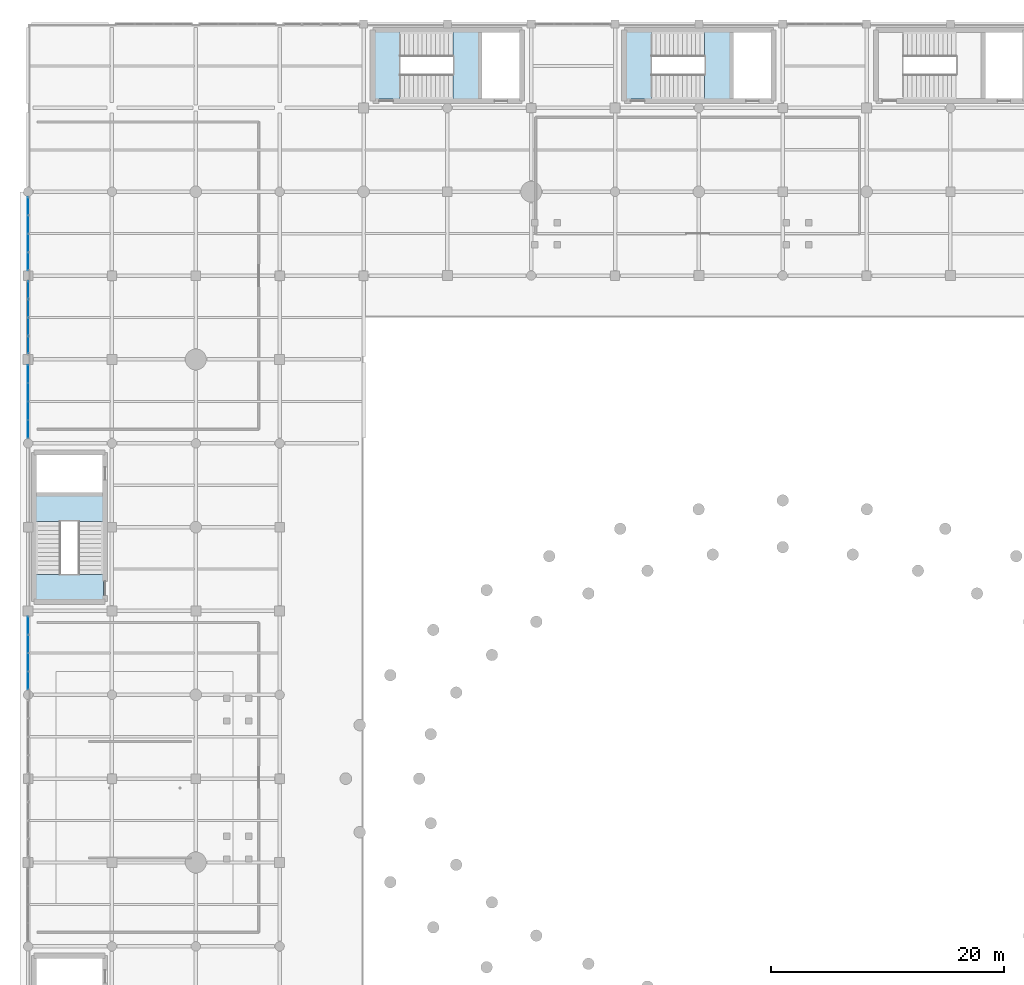
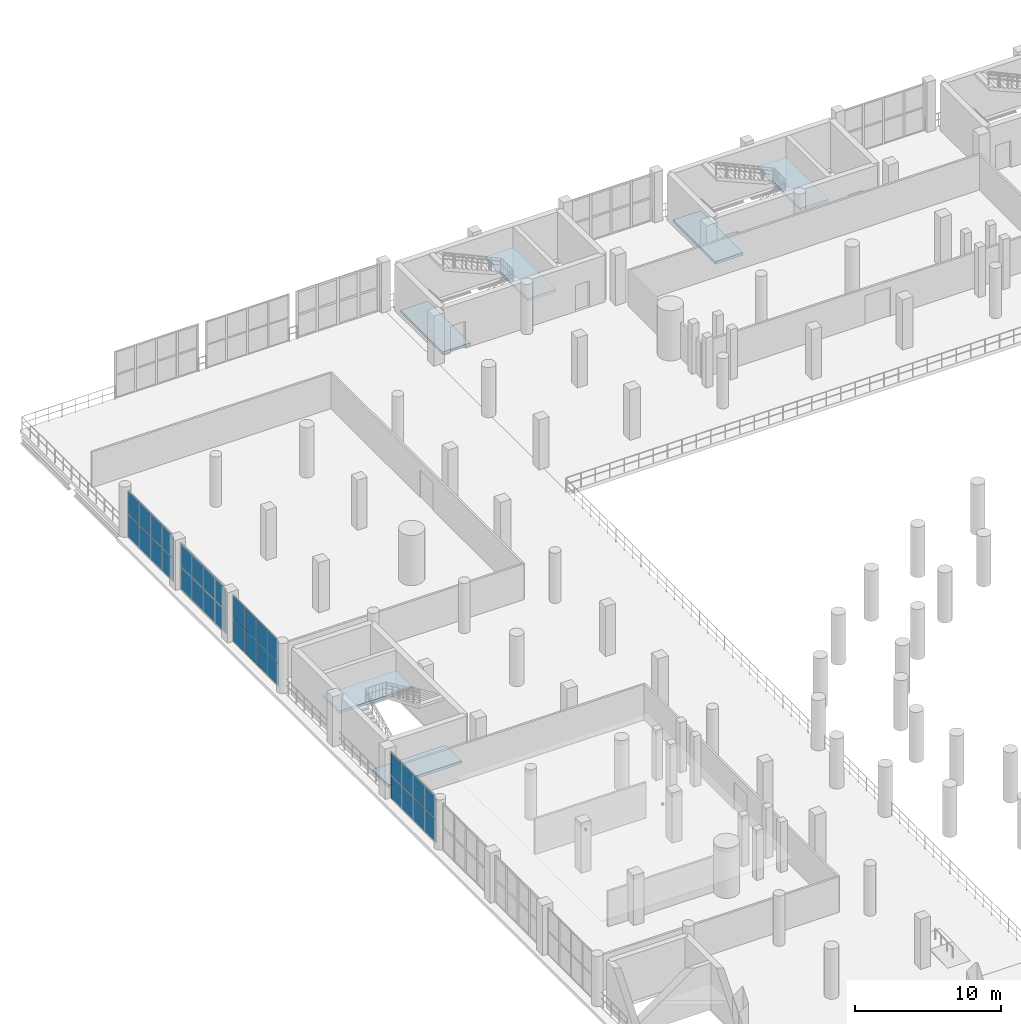
# One storey, part 123 of 153: 32 plates, 6 slabs, 7 elements without a shape of their own.
"""IFC4 building model written with IfcOpenShell, lengths in metres."""

from ifc_helpers import new_model, si_unit, direction, frame, origin, origin_2d, place, context, subcontext, project, spatial, polyline, rectangle, outline, extrude, material, layer, layer_set, type_object, element, aggregate, save


model = new_model("IFC4")

# Units and contexts
model_context = context("Model", 3, precision=1e-05, world=origin(), true_north=direction((0.0, 1.0)))
body_context = subcontext(model_context, "Body", "Model", "MODEL_VIEW")
ifc_project = project(units=[si_unit("LENGTHUNIT", "METRE"), si_unit("AREAUNIT", "SQUARE_METRE"), si_unit("VOLUMEUNIT", "CUBIC_METRE"), si_unit("PLANEANGLEUNIT", "RADIAN"), si_unit("MASSUNIT", "GRAM", prefix="KILO")], contexts=[model_context])

# Site, building, storey
site_placement = place(None, origin())
site = spatial("IfcSite", under=ifc_project, at=site_placement, CompositionType="ELEMENT")
building_placement = place(site_placement, origin())
building = spatial("IfcBuilding", under=site, at=building_placement, Name="Qandorah Velis Arena", CompositionType="ELEMENT")
storey_placement = place(building_placement, frame((0.0, 0.0, 5.39990234375)))
storey = spatial("IfcBuildingStorey", under=building, at=storey_placement, Name="L01", CompositionType="ELEMENT", Elevation=5.39990234375)

# Curtain wall, plates
ifc_material_1 = material(Name="Solar-control low-E double glazing", Category="glass")
curtain_wall_type_1 = type_object("IfcCurtainWallType", Name="ARC-CW-SYS09", PredefinedType="USERDEFINED", material=ifc_material_1)
curtain_wall_1_placement = place(storey_placement, origin())
curtain_wall_1 = element("IfcCurtainWall", 1, at=curtain_wall_1_placement, inside=storey, type_object=curtain_wall_type_1, Name="Unitised curtain wall L01-009", ObjectType="UNITISED CURTAIN WALL", PredefinedType="USERDEFINED")
ifc_layer_1 = layer(ifc_material_1, 0.02392578125)
ifc_layer_set_1 = layer_set([ifc_layer_1], Name="Solar-control low-E double glazing")
plate_type_1 = type_object("IfcPlateType", Name="ARC-CWP-GLZ24", PredefinedType="CURTAIN_PANEL", material=ifc_layer_set_1)
plate_1_placement = place(storey_placement, frame((0.0, 102.059326171875, 0.06494140625), z_axis=(0.0, 0.0, 1.0), x_axis=(0.0, 1.0, 0.0)))
plate_1 = element("IfcPlate", 2, at=plate_1_placement, type_object=plate_type_1, Name="CW09 panel 1.1", PredefinedType="CURTAIN_PANEL", context=body_context, shape_type="SweptSolid", body=[
    extrude(rectangle(XDim=1.48876953125, YDim=0.02392578125, at=origin_2d()), origin(), (0.0, 0.0, 1.0), 1.867431640625),
])
plate_2_placement = place(storey_placement, frame((0.0, 102.059326171875, 1.98779296875), z_axis=(0.0, 0.0, 1.0), x_axis=(0.0, 1.0, 0.0)))
plate_2 = element("IfcPlate", 3, at=plate_2_placement, type_object=plate_type_1, Name="CW09 panel 1.2", PredefinedType="CURTAIN_PANEL", context=body_context, shape_type="SweptSolid", body=[
    extrude(rectangle(XDim=1.48876953125, YDim=0.02392578125, at=origin_2d()), origin(), (0.0, 0.0, 1.0), 1.867431640625),
])
plate_3_placement = place(storey_placement, frame((0.0, 103.621826171875, 0.06494140625), z_axis=(0.0, 0.0, 1.0), x_axis=(0.0, 1.0, 0.0)))
plate_3 = element("IfcPlate", 4, at=plate_3_placement, type_object=plate_type_1, Name="CW09 panel 2.1", PredefinedType="CURTAIN_PANEL", context=body_context, shape_type="SweptSolid", body=[
    extrude(rectangle(XDim=1.5263671875, YDim=0.02392578125, at=origin_2d()), origin(), (0.0, 0.0, 1.0), 1.867431640625),
])
plate_4_placement = place(storey_placement, frame((0.0, 103.621826171875, 1.98779296875), z_axis=(0.0, 0.0, 1.0), x_axis=(0.0, 1.0, 0.0)))
plate_4 = element("IfcPlate", 5, at=plate_4_placement, type_object=plate_type_1, Name="CW09 panel 2.2", PredefinedType="CURTAIN_PANEL", context=body_context, shape_type="SweptSolid", body=[
    extrude(rectangle(XDim=1.5263671875, YDim=0.02392578125, at=origin_2d()), origin(), (0.0, 0.0, 1.0), 1.867431640625),
])
plate_5_placement = place(storey_placement, frame((0.0, 105.203125, 0.06494140625), z_axis=(0.0, 0.0, 1.0), x_axis=(0.0, 1.0, 0.0)))
plate_5 = element("IfcPlate", 6, at=plate_5_placement, type_object=plate_type_1, Name="CW09 panel 3.1", PredefinedType="CURTAIN_PANEL", context=body_context, shape_type="SweptSolid", body=[
    extrude(rectangle(XDim=1.5263671875, YDim=0.02392578125, at=origin_2d()), origin(), (0.0, 0.0, 1.0), 1.867431640625),
])
plate_6_placement = place(storey_placement, frame((0.0, 105.203125, 1.98779296875), z_axis=(0.0, 0.0, 1.0), x_axis=(0.0, 1.0, 0.0)))
plate_6 = element("IfcPlate", 7, at=plate_6_placement, type_object=plate_type_1, Name="CW09 panel 3.2", PredefinedType="CURTAIN_PANEL", context=body_context, shape_type="SweptSolid", body=[
    extrude(rectangle(XDim=1.5263671875, YDim=0.02392578125, at=origin_2d()), origin(), (0.0, 0.0, 1.0), 1.867431640625),
])
plate_7_placement = place(storey_placement, frame((0.0, 106.765625, 0.06494140625), z_axis=(0.0, 0.0, 1.0), x_axis=(0.0, 1.0, 0.0)))
plate_7 = element("IfcPlate", 8, at=plate_7_placement, type_object=plate_type_1, Name="CW09 panel 4.1", PredefinedType="CURTAIN_PANEL", context=body_context, shape_type="SweptSolid", body=[
    extrude(rectangle(XDim=1.48876953125, YDim=0.02392578125, at=origin_2d()), origin(), (0.0, 0.0, 1.0), 1.867431640625),
])
plate_8_placement = place(storey_placement, frame((0.0, 106.765625, 1.98779296875), z_axis=(0.0, 0.0, 1.0), x_axis=(0.0, 1.0, 0.0)))
plate_8 = element("IfcPlate", 9, at=plate_8_placement, type_object=plate_type_1, Name="CW09 panel 4.2", PredefinedType="CURTAIN_PANEL", context=body_context, shape_type="SweptSolid", body=[
    extrude(rectangle(XDim=1.48876953125, YDim=0.02392578125, at=origin_2d()), origin(), (0.0, 0.0, 1.0), 1.867431640625),
])
aggregate(curtain_wall_1, [plate_1, plate_2, plate_3, plate_4, plate_5, plate_6, plate_7, plate_8])

curtain_wall_type_2 = type_object("IfcCurtainWallType", Name="ARC-CW-SYS08", PredefinedType="USERDEFINED", material=ifc_material_1)
curtain_wall_2_placement = place(storey_placement, origin())
curtain_wall_2 = element("IfcCurtainWall", 10, at=curtain_wall_2_placement, inside=storey, type_object=curtain_wall_type_2, Name="Unitised curtain wall L01-008", ObjectType="UNITISED CURTAIN WALL", PredefinedType="USERDEFINED")
ifc_layer_2 = layer(ifc_material_1, 0.028076171875)
ifc_layer_set_2 = layer_set([ifc_layer_2], Name="Solar-control low-E double glazing")
plate_type_2 = type_object("IfcPlateType", Name="ARC-CWP-GLZ28", PredefinedType="CURTAIN_PANEL", material=ifc_layer_set_2)
plate_9_placement = place(storey_placement, frame((0.0, 94.829345703125, 0.045166015625), z_axis=(0.0, 0.0, 1.0), x_axis=(0.0, 1.0, 0.0)))
plate_9 = element("IfcPlate", 11, at=plate_9_placement, type_object=plate_type_2, Name="CW08 panel 1.1", PredefinedType="CURTAIN_PANEL", context=body_context, shape_type="SweptSolid", body=[
    extrude(rectangle(XDim=1.518798828125, YDim=0.028076171875, at=origin_2d()), origin(), (0.0, 0.0, 1.0), 1.8974609375),
])
plate_10_placement = place(storey_placement, frame((0.0, 94.829345703125, 1.9775390625), z_axis=(0.0, 0.0, 1.0), x_axis=(0.0, 1.0, 0.0)))
plate_10 = element("IfcPlate", 12, at=plate_10_placement, type_object=plate_type_2, Name="CW08 panel 1.2", PredefinedType="CURTAIN_PANEL", context=body_context, shape_type="SweptSolid", body=[
    extrude(rectangle(XDim=1.518798828125, YDim=0.028076171875, at=origin_2d()), origin(), (0.0, 0.0, 1.0), 1.8974609375),
])
plate_11_placement = place(storey_placement, frame((0.0, 96.39697265625, 0.045166015625), z_axis=(0.0, 0.0, 1.0), x_axis=(0.0, 1.0, 0.0)))
plate_11 = element("IfcPlate", 13, at=plate_11_placement, type_object=plate_type_2, Name="CW08 panel 2.1", PredefinedType="CURTAIN_PANEL", context=body_context, shape_type="SweptSolid", body=[
    extrude(rectangle(XDim=1.546142578125, YDim=0.028076171875, at=origin_2d()), origin(), (0.0, 0.0, 1.0), 1.8974609375),
])
plate_12_placement = place(storey_placement, frame((0.0, 96.39697265625, 1.9775390625), z_axis=(0.0, 0.0, 1.0), x_axis=(0.0, 1.0, 0.0)))
plate_12 = element("IfcPlate", 14, at=plate_12_placement, type_object=plate_type_2, Name="CW08 panel 2.2", PredefinedType="CURTAIN_PANEL", context=body_context, shape_type="SweptSolid", body=[
    extrude(rectangle(XDim=1.546142578125, YDim=0.028076171875, at=origin_2d()), origin(), (0.0, 0.0, 1.0), 1.8974609375),
])
plate_13_placement = place(storey_placement, frame((0.0, 97.97802734375, 0.045166015625), z_axis=(0.0, 0.0, 1.0), x_axis=(0.0, 1.0, 0.0)))
plate_13 = element("IfcPlate", 15, at=plate_13_placement, type_object=plate_type_2, Name="CW08 panel 3.1", PredefinedType="CURTAIN_PANEL", context=body_context, shape_type="SweptSolid", body=[
    extrude(rectangle(XDim=1.546142578125, YDim=0.028076171875, at=origin_2d()), origin(), (0.0, 0.0, 1.0), 1.8974609375),
])
plate_14_placement = place(storey_placement, frame((0.0, 97.97802734375, 1.9775390625), z_axis=(0.0, 0.0, 1.0), x_axis=(0.0, 1.0, 0.0)))
plate_14 = element("IfcPlate", 16, at=plate_14_placement, type_object=plate_type_2, Name="CW08 panel 3.2", PredefinedType="CURTAIN_PANEL", context=body_context, shape_type="SweptSolid", body=[
    extrude(rectangle(XDim=1.546142578125, YDim=0.028076171875, at=origin_2d()), origin(), (0.0, 0.0, 1.0), 1.8974609375),
])
plate_15_placement = place(storey_placement, frame((0.0, 99.545654296875, 0.045166015625), z_axis=(0.0, 0.0, 1.0), x_axis=(0.0, 1.0, 0.0)))
plate_15 = element("IfcPlate", 17, at=plate_15_placement, type_object=plate_type_2, Name="CW08 panel 4.1", PredefinedType="CURTAIN_PANEL", context=body_context, shape_type="SweptSolid", body=[
    extrude(rectangle(XDim=1.518798828125, YDim=0.028076171875, at=origin_2d()), origin(), (0.0, 0.0, 1.0), 1.8974609375),
])
plate_16_placement = place(storey_placement, frame((0.0, 99.545654296875, 1.9775390625), z_axis=(0.0, 0.0, 1.0), x_axis=(0.0, 1.0, 0.0)))
plate_16 = element("IfcPlate", 18, at=plate_16_placement, type_object=plate_type_2, Name="CW08 panel 4.2", PredefinedType="CURTAIN_PANEL", context=body_context, shape_type="SweptSolid", body=[
    extrude(rectangle(XDim=1.518798828125, YDim=0.028076171875, at=origin_2d()), origin(), (0.0, 0.0, 1.0), 1.8974609375),
])
aggregate(curtain_wall_2, [plate_9, plate_10, plate_11, plate_12, plate_13, plate_14, plate_15, plate_16])

curtain_wall_type_3 = type_object("IfcCurtainWallType", Name="ARC-CW-SYS07", PredefinedType="USERDEFINED", material=ifc_material_1)
curtain_wall_3_placement = place(storey_placement, origin())
curtain_wall_3 = element("IfcCurtainWall", 19, at=curtain_wall_3_placement, inside=storey, type_object=curtain_wall_type_3, Name="Unitised curtain wall L01-007", ObjectType="UNITISED CURTAIN WALL", PredefinedType="USERDEFINED")
ifc_layer_3 = layer(ifc_material_1, 0.030029296875)
ifc_layer_set_3 = layer_set([ifc_layer_3], Name="Solar-control low-E double glazing")
plate_type_3 = type_object("IfcPlateType", Name="ARC-CWP-GLZ30", PredefinedType="CURTAIN_PANEL", material=ifc_layer_set_3)
plate_17_placement = place(storey_placement, frame((0.0, 73.230712890625, 0.05029296875), z_axis=(0.0, 0.0, 1.0), x_axis=(0.0, 1.0, 0.0)))
plate_17 = element("IfcPlate", 20, at=plate_17_placement, type_object=plate_type_3, Name="CW07 panel 1.1", PredefinedType="CURTAIN_PANEL", context=body_context, shape_type="SweptSolid", body=[
    extrude(rectangle(XDim=1.51123046875, YDim=0.030029296875, at=origin_2d()), origin(), (0.0, 0.0, 1.0), 1.889892578125),
])
plate_18_placement = place(storey_placement, frame((0.0, 73.230712890625, 1.97998046875), z_axis=(0.0, 0.0, 1.0), x_axis=(0.0, 1.0, 0.0)))
plate_18 = element("IfcPlate", 21, at=plate_18_placement, type_object=plate_type_3, Name="CW07 panel 1.2", PredefinedType="CURTAIN_PANEL", context=body_context, shape_type="SweptSolid", body=[
    extrude(rectangle(XDim=1.51123046875, YDim=0.030029296875, at=origin_2d()), origin(), (0.0, 0.0, 1.0), 1.889892578125),
])
plate_19_placement = place(storey_placement, frame((0.0, 74.796875, 0.05029296875), z_axis=(0.0, 0.0, 1.0), x_axis=(0.0, 1.0, 0.0)))
plate_19 = element("IfcPlate", 22, at=plate_19_placement, type_object=plate_type_3, Name="CW07 panel 2.1", PredefinedType="CURTAIN_PANEL", context=body_context, shape_type="SweptSolid", body=[
    extrude(rectangle(XDim=1.541259765625, YDim=0.030029296875, at=origin_2d()), origin(), (0.0, 0.0, 1.0), 1.889892578125),
])
plate_20_placement = place(storey_placement, frame((0.0, 74.796875, 1.97998046875), z_axis=(0.0, 0.0, 1.0), x_axis=(0.0, 1.0, 0.0)))
plate_20 = element("IfcPlate", 23, at=plate_20_placement, type_object=plate_type_3, Name="CW07 panel 2.2", PredefinedType="CURTAIN_PANEL", context=body_context, shape_type="SweptSolid", body=[
    extrude(rectangle(XDim=1.541259765625, YDim=0.030029296875, at=origin_2d()), origin(), (0.0, 0.0, 1.0), 1.889892578125),
])
plate_21_placement = place(storey_placement, frame((0.0, 76.378173828125, 0.05029296875), z_axis=(0.0, 0.0, 1.0), x_axis=(0.0, 1.0, 0.0)))
plate_21 = element("IfcPlate", 24, at=plate_21_placement, type_object=plate_type_3, Name="CW07 panel 3.1", PredefinedType="CURTAIN_PANEL", context=body_context, shape_type="SweptSolid", body=[
    extrude(rectangle(XDim=1.541259765625, YDim=0.030029296875, at=origin_2d()), origin(), (0.0, 0.0, 1.0), 1.889892578125),
])
plate_22_placement = place(storey_placement, frame((0.0, 76.378173828125, 1.97998046875), z_axis=(0.0, 0.0, 1.0), x_axis=(0.0, 1.0, 0.0)))
plate_22 = element("IfcPlate", 25, at=plate_22_placement, type_object=plate_type_3, Name="CW07 panel 3.2", PredefinedType="CURTAIN_PANEL", context=body_context, shape_type="SweptSolid", body=[
    extrude(rectangle(XDim=1.541259765625, YDim=0.030029296875, at=origin_2d()), origin(), (0.0, 0.0, 1.0), 1.889892578125),
])
plate_23_placement = place(storey_placement, frame((0.0, 77.9443359375, 0.05029296875), z_axis=(0.0, 0.0, 1.0), x_axis=(0.0, 1.0, 0.0)))
plate_23 = element("IfcPlate", 26, at=plate_23_placement, type_object=plate_type_3, Name="CW07 panel 4.1", PredefinedType="CURTAIN_PANEL", context=body_context, shape_type="SweptSolid", body=[
    extrude(rectangle(XDim=1.51123046875, YDim=0.030029296875, at=origin_2d()), origin(), (0.0, 0.0, 1.0), 1.889892578125),
])
plate_24_placement = place(storey_placement, frame((0.0, 77.9443359375, 1.97998046875), z_axis=(0.0, 0.0, 1.0), x_axis=(0.0, 1.0, 0.0)))
plate_24 = element("IfcPlate", 27, at=plate_24_placement, type_object=plate_type_3, Name="CW07 panel 4.2", PredefinedType="CURTAIN_PANEL", context=body_context, shape_type="SweptSolid", body=[
    extrude(rectangle(XDim=1.51123046875, YDim=0.030029296875, at=origin_2d()), origin(), (0.0, 0.0, 1.0), 1.889892578125),
])
aggregate(curtain_wall_3, [plate_17, plate_18, plate_19, plate_20, plate_21, plate_22, plate_23, plate_24])

curtain_wall_type_4 = type_object("IfcCurtainWallType", Name="ARC-CW-SYS10", PredefinedType="USERDEFINED", material=ifc_material_1)
curtain_wall_4_placement = place(storey_placement, origin())
curtain_wall_4 = element("IfcCurtainWall", 28, at=curtain_wall_4_placement, inside=storey, type_object=curtain_wall_type_4, Name="Unitised curtain wall L01-010", ObjectType="UNITISED CURTAIN WALL", PredefinedType="USERDEFINED")
ifc_layer_4 = layer(ifc_material_1, 0.0439453125)
ifc_layer_set_4 = layer_set([ifc_layer_4], Name="Solar-control low-E double glazing")
plate_type_4 = type_object("IfcPlateType", Name="ARC-CWP-SPN44", PredefinedType="CURTAIN_PANEL", material=ifc_layer_set_4)
plate_25_placement = place(storey_placement, frame((0.0, 109.235107421875, 0.05517578125), z_axis=(0.0, 0.0, 1.0), x_axis=(0.0, 1.0, 0.0)))
plate_25 = element("IfcPlate", 29, at=plate_25_placement, type_object=plate_type_4, Name="CW10 panel 1.1", PredefinedType="CURTAIN_PANEL", context=body_context, shape_type="SweptSolid", body=[
    extrude(rectangle(XDim=1.510009765625, YDim=0.0439453125, at=origin_2d()), origin(), (0.0, 0.0, 1.0), 1.882568359375),
])
plate_26_placement = place(storey_placement, frame((0.0, 109.235107421875, 1.982421875), z_axis=(0.0, 0.0, 1.0), x_axis=(0.0, 1.0, 0.0)))
plate_26 = element("IfcPlate", 30, at=plate_26_placement, type_object=plate_type_4, Name="CW10 panel 1.2", PredefinedType="CURTAIN_PANEL", context=body_context, shape_type="SweptSolid", body=[
    extrude(rectangle(XDim=1.510009765625, YDim=0.0439453125, at=origin_2d()), origin(), (0.0, 0.0, 1.0), 1.882568359375),
])
plate_27_placement = place(storey_placement, frame((0.0, 110.80615234375, 0.05517578125), z_axis=(0.0, 0.0, 1.0), x_axis=(0.0, 1.0, 0.0)))
plate_27 = element("IfcPlate", 31, at=plate_27_placement, type_object=plate_type_4, Name="CW10 panel 2.1", PredefinedType="CURTAIN_PANEL", context=body_context, shape_type="SweptSolid", body=[
    extrude(rectangle(XDim=1.54248046875, YDim=0.0439453125, at=origin_2d()), origin(), (0.0, 0.0, 1.0), 1.882568359375),
])
plate_28_placement = place(storey_placement, frame((0.0, 110.80615234375, 1.982421875), z_axis=(0.0, 0.0, 1.0), x_axis=(0.0, 1.0, 0.0)))
plate_28 = element("IfcPlate", 32, at=plate_28_placement, type_object=plate_type_4, Name="CW10 panel 2.2", PredefinedType="CURTAIN_PANEL", context=body_context, shape_type="SweptSolid", body=[
    extrude(rectangle(XDim=1.54248046875, YDim=0.0439453125, at=origin_2d()), origin(), (0.0, 0.0, 1.0), 1.882568359375),
])
plate_29_placement = place(storey_placement, frame((0.0, 112.393798828125, 0.05517578125), z_axis=(0.0, 0.0, 1.0), x_axis=(0.0, 1.0, 0.0)))
plate_29 = element("IfcPlate", 33, at=plate_29_placement, type_object=plate_type_4, Name="CW10 panel 3.1", PredefinedType="CURTAIN_PANEL", context=body_context, shape_type="SweptSolid", body=[
    extrude(rectangle(XDim=1.54248046875, YDim=0.0439453125, at=origin_2d()), origin(), (0.0, 0.0, 1.0), 1.882568359375),
])
plate_30_placement = place(storey_placement, frame((0.0, 112.393798828125, 1.982421875), z_axis=(0.0, 0.0, 1.0), x_axis=(0.0, 1.0, 0.0)))
plate_30 = element("IfcPlate", 34, at=plate_30_placement, type_object=plate_type_4, Name="CW10 panel 3.2", PredefinedType="CURTAIN_PANEL", context=body_context, shape_type="SweptSolid", body=[
    extrude(rectangle(XDim=1.54248046875, YDim=0.0439453125, at=origin_2d()), origin(), (0.0, 0.0, 1.0), 1.882568359375),
])
plate_31_placement = place(storey_placement, frame((0.0, 113.965087890625, 0.05517578125), z_axis=(0.0, 0.0, 1.0), x_axis=(0.0, 1.0, 0.0)))
plate_31 = element("IfcPlate", 35, at=plate_31_placement, type_object=plate_type_4, Name="CW10 panel 4.1", PredefinedType="CURTAIN_PANEL", context=body_context, shape_type="SweptSolid", body=[
    extrude(rectangle(XDim=1.510009765625, YDim=0.0439453125, at=origin_2d()), origin(), (0.0, 0.0, 1.0), 1.882568359375),
])
plate_32_placement = place(storey_placement, frame((0.0, 113.965087890625, 1.982421875), z_axis=(0.0, 0.0, 1.0), x_axis=(0.0, 1.0, 0.0)))
plate_32 = element("IfcPlate", 36, at=plate_32_placement, type_object=plate_type_4, Name="CW10 panel 4.2", PredefinedType="CURTAIN_PANEL", context=body_context, shape_type="SweptSolid", body=[
    extrude(rectangle(XDim=1.510009765625, YDim=0.0439453125, at=origin_2d()), origin(), (0.0, 0.0, 1.0), 1.882568359375),
])
aggregate(curtain_wall_4, [plate_25, plate_26, plate_27, plate_28, plate_29, plate_30, plate_31, plate_32])

# Slab
ifc_material_2 = material(Name="Concrete C40/50", Category="concrete")
ifc_layer_5 = layer(ifc_material_2, 0.219970703125)
ifc_layer_set_5 = layer_set([ifc_layer_5], Name="Concrete C40/50")
slab_type = type_object("IfcSlabType", Name="STR-SLB-LND220", PredefinedType="LANDING", material=ifc_layer_set_5)
slab_1_placement = place(storey_placement, frame((0.0, 0.0, -0.219970703125)))
element("IfcSlab", 37, at=slab_1_placement, inside=storey, type_object=slab_type, Name="Stair ST3 storey landing slab L01", PredefinedType="LANDING", context=body_context, shape_type="SweptSolid", body=[
    extrude(outline(polyline([(29.75, 123.14990234375), (31.949951171875, 123.14990234375), (31.949951171875, 128.949951171875), (29.75, 128.949951171875), (29.75, 123.14990234375)])), origin(), (0.0, 0.0, 1.0), 0.219970703125),
])

# Stair, slab
stair_type = type_object("IfcStairType", Name="ARC-ST-CORE42", PredefinedType="HALF_TURN_STAIR", material=ifc_material_2)
stair_1_placement = place(storey_placement, origin())
stair_1 = element("IfcStair", 38, at=stair_1_placement, inside=storey, type_object=stair_type, Name="Protected exit stair ST3 (L01)", PredefinedType="HALF_TURN_STAIR")
slab_2_placement = place(storey_placement, frame((0.0, 0.0, 1.880126953125)))
slab_2 = element("IfcSlab", 39, at=slab_2_placement, type_object=slab_type, Name="ST3 landing 1", PredefinedType="LANDING", context=body_context, shape_type="SweptSolid", body=[
    extrude(outline(polyline([(36.486083984375, 123.14990234375), (38.736083984375, 123.14990234375), (38.736083984375, 128.949951171875), (36.486083984375, 128.949951171875), (36.486083984375, 123.14990234375)])), origin(), (0.0, 0.0, 1.0), 0.219970703125),
])
aggregate(stair_1, [slab_2])

# Slab
slab_3_placement = place(storey_placement, frame((0.0, 0.0, -0.219970703125)))
element("IfcSlab", 40, at=slab_3_placement, inside=storey, type_object=slab_type, Name="Stair ST6 storey landing slab L01", PredefinedType="LANDING", context=body_context, shape_type="SweptSolid", body=[
    extrude(outline(polyline([(0.64990234375, 80.14990234375), (6.449951171875, 80.14990234375), (6.449951171875, 82.35009765625), (0.64990234375, 82.35009765625), (0.64990234375, 80.14990234375)])), origin(), (0.0, 0.0, 1.0), 0.219970703125),
])

# Stair, slab
stair_2_placement = place(storey_placement, origin())
stair_2 = element("IfcStair", 41, at=stair_2_placement, inside=storey, type_object=stair_type, Name="Protected exit stair ST6 (L01)", PredefinedType="HALF_TURN_STAIR")
slab_4_placement = place(storey_placement, frame((0.0, 0.0, 1.880126953125)))
slab_4 = element("IfcSlab", 42, at=slab_4_placement, type_object=slab_type, Name="ST6 landing 1", PredefinedType="LANDING", context=body_context, shape_type="SweptSolid", body=[
    extrude(outline(polyline([(0.64990234375, 86.885986328125), (6.449951171875, 86.885986328125), (6.449951171875, 89.135986328125), (0.64990234375, 89.135986328125), (0.64990234375, 86.885986328125)])), origin(), (0.0, 0.0, 1.0), 0.219970703125),
])
aggregate(stair_2, [slab_4])

# Slab
slab_5_placement = place(storey_placement, frame((0.0, 0.0, -0.219970703125)))
element("IfcSlab", 43, at=slab_5_placement, inside=storey, type_object=slab_type, Name="Stair ST10 storey landing slab L01", PredefinedType="LANDING", context=body_context, shape_type="SweptSolid", body=[
    extrude(outline(polyline([(51.35009765625, 123.14990234375), (53.550048828125, 123.14990234375), (53.550048828125, 128.949951171875), (51.35009765625, 128.949951171875), (51.35009765625, 123.14990234375)])), origin(), (0.0, 0.0, 1.0), 0.219970703125),
])

# Stair, slab
stair_3_placement = place(storey_placement, origin())
stair_3 = element("IfcStair", 44, at=stair_3_placement, inside=storey, type_object=stair_type, Name="Protected exit stair ST10 (L01)", PredefinedType="HALF_TURN_STAIR")
slab_6_placement = place(storey_placement, frame((0.0, 0.0, 1.880126953125)))
slab_6 = element("IfcSlab", 45, at=slab_6_placement, type_object=slab_type, Name="ST10 landing 1", PredefinedType="LANDING", context=body_context, shape_type="SweptSolid", body=[
    extrude(outline(polyline([(58.0859375, 123.14990234375), (60.3359375, 123.14990234375), (60.3359375, 128.949951171875), (58.0859375, 128.949951171875), (58.0859375, 123.14990234375)])), origin(), (0.0, 0.0, 1.0), 0.219970703125),
])
aggregate(stair_3, [slab_6])

save(model, "model.ifc")
